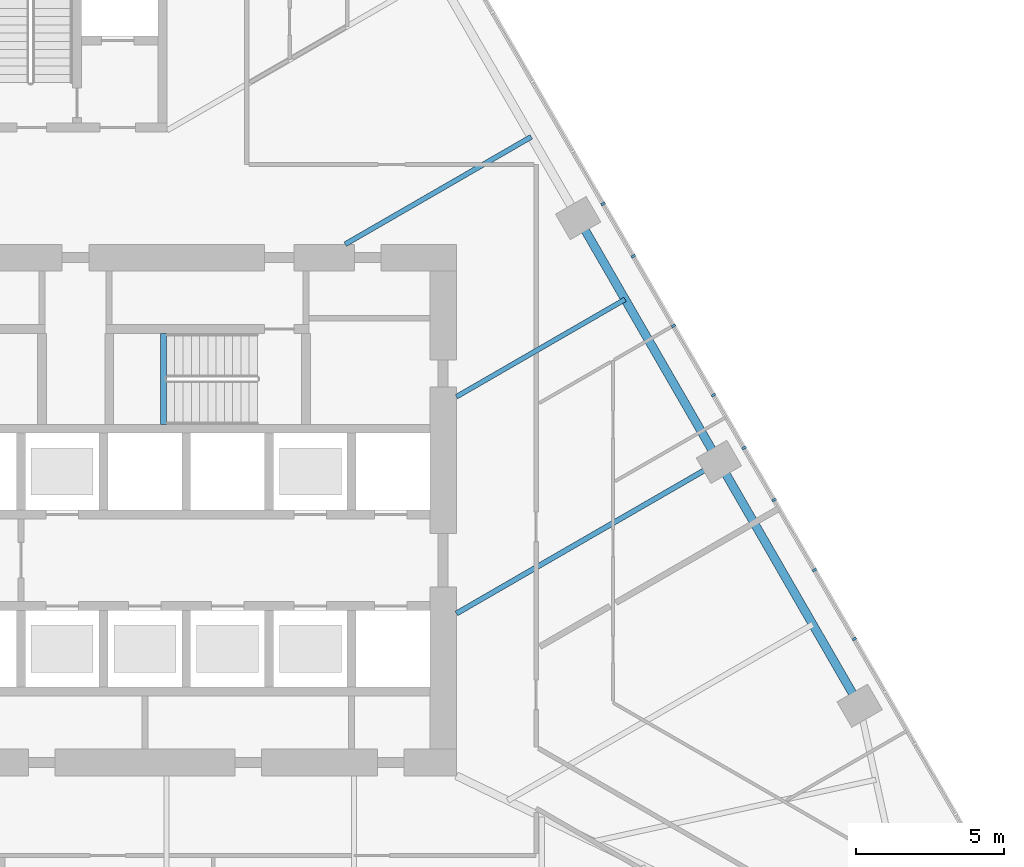
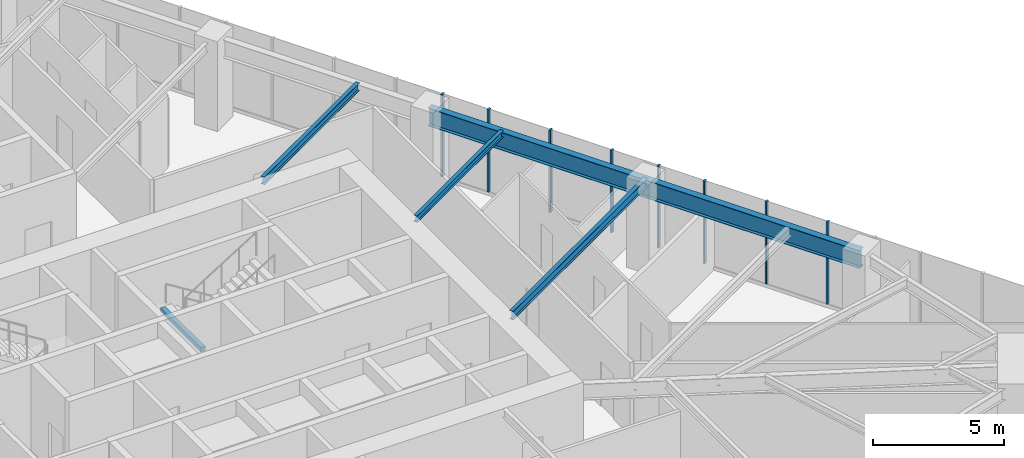
# One storey, part 8 of 26: 8 members, 5 beams, 1 element without a shape of its own.
"""IFC4 building model written with IfcOpenShell, lengths in metres."""

from ifc_helpers import new_model, si_unit, direction, frame, origin, origin_2d, place, context, subcontext, project, spatial, rectangle, i_section, extrude, material, layer, layer_set, material_profile, profile_set, type_object, element, aggregate, save


model = new_model("IFC4")

# Units and contexts
model_context = context("Model", 3, precision=1e-05, world=origin(), true_north=direction((0.0, 1.0)))
body_context = subcontext(model_context, "Body", "Model", "MODEL_VIEW")
ifc_project = project(units=[si_unit("LENGTHUNIT", "METRE"), si_unit("AREAUNIT", "SQUARE_METRE"), si_unit("VOLUMEUNIT", "CUBIC_METRE"), si_unit("PLANEANGLEUNIT", "RADIAN"), si_unit("MASSUNIT", "GRAM", prefix="KILO")], contexts=[model_context])

# Site, building, storey
site_placement = place(None, origin())
site = spatial("IfcSite", under=ifc_project, at=site_placement, CompositionType="ELEMENT")
building_placement = place(site_placement, origin())
building = spatial("IfcBuilding", under=site, at=building_placement, Name="Firuza Gate Tower and Library", CompositionType="ELEMENT")
storey_placement = place(building_placement, frame((0.0, 0.0, 65.199951171875)))
storey = spatial("IfcBuildingStorey", under=building, at=storey_placement, Name="L14", CompositionType="ELEMENT", Elevation=65.199951171875)

# Curtain wall, members
ifc_material_1 = material(Name="Aluminium 6063-T6", Category="aluminium")
ifc_layer = layer(ifc_material_1, 0.14990234375)
ifc_layer_set = layer_set([ifc_layer], Name="Unitised curtain wall, offices")
curtain_wall_type = type_object("IfcCurtainWallType", Name="Unitised curtain wall, offices", PredefinedType="NOTDEFINED", material=ifc_layer_set)
curtain_wall_placement = place(storey_placement, origin())
curtain_wall = element("IfcCurtainWall", 1, at=curtain_wall_placement, inside=storey, type_object=curtain_wall_type, Name="CW1 L14 E face", PredefinedType="NOTDEFINED")
ifc_material_2 = material(Name="Aluminium 6063-T6", Category="aluminium")
ifc_material_profile_1 = material_profile(ifc_material_2, rectangle(XDim=0.14990234375, YDim=0.080078125, at=origin_2d()))
ifc_profile_set_1 = profile_set([ifc_material_profile_1], Name="Aluminium 6063-T6")
member_type = type_object("IfcMemberType", Name="Curtain wall mullion 80x150", PredefinedType="MULLION", material=ifc_profile_set_1)
member_1_placement = place(storey_placement, frame((100.12841796875, 72.96875, 0.150146484375), z_axis=(0.0, 0.0, 1.0), x_axis=(-0.866025403784, -0.5, 0.0)))
member_1 = element("IfcMember", 2, at=member_1_placement, type_object=member_type, Name="Mullion", PredefinedType="MULLION", context=body_context, shape_type="SweptSolid", body=[
    extrude(rectangle(XDim=0.14990234375, YDim=0.080078125, at=origin_2d()), origin(), (0.0, 0.0, 1.0), 3.849853515625),
])
member_2_placement = place(storey_placement, frame((97.740966796875, 77.103515625, 0.150146484375), z_axis=(0.0, 0.0, 1.0), x_axis=(-0.866025403784, -0.5, 0.0)))
member_2 = element("IfcMember", 3, at=member_2_placement, type_object=member_type, Name="Mullion", PredefinedType="MULLION", context=body_context, shape_type="SweptSolid", body=[
    extrude(rectangle(XDim=0.14990234375, YDim=0.080078125, at=origin_2d()), origin(), (0.0, 0.0, 1.0), 3.849853515625),
])
member_3_placement = place(storey_placement, frame((95.353759765625, 81.23828125, 0.150146484375), z_axis=(0.0, 0.0, 1.0), x_axis=(-0.866025403784, -0.5, 0.0)))
member_3 = element("IfcMember", 4, at=member_3_placement, type_object=member_type, Name="Mullion", PredefinedType="MULLION", context=body_context, shape_type="SweptSolid", body=[
    extrude(rectangle(XDim=0.14990234375, YDim=0.080078125, at=origin_2d()), origin(), (0.0, 0.0, 1.0), 3.849853515625),
])
member_4_placement = place(storey_placement, frame((92.966552734375, 85.373046875, 0.150146484375), z_axis=(0.0, 0.0, 1.0), x_axis=(-0.866025403784, -0.5, 0.0)))
member_4 = element("IfcMember", 5, at=member_4_placement, type_object=member_type, Name="Mullion", PredefinedType="MULLION", context=body_context, shape_type="SweptSolid", body=[
    extrude(rectangle(XDim=0.14990234375, YDim=0.080078125, at=origin_2d()), origin(), (0.0, 0.0, 1.0), 3.849853515625),
])
member_5_placement = place(storey_placement, frame((101.476318359375, 70.634033203125, 0.150146484375), z_axis=(0.0, 0.0, 1.0), x_axis=(-0.866025403784, -0.5, 0.0)))
member_5 = element("IfcMember", 6, at=member_5_placement, type_object=member_type, Name="Mullion", PredefinedType="MULLION", context=body_context, shape_type="SweptSolid", body=[
    extrude(rectangle(XDim=0.14990234375, YDim=0.080078125, at=origin_2d()), origin(), (0.0, 0.0, 1.0), 3.849853515625),
])
member_6_placement = place(storey_placement, frame((98.7587890625, 75.3408203125, 0.150146484375), z_axis=(0.0, 0.0, 1.0), x_axis=(-0.866025403784, -0.5, 0.0)))
member_6 = element("IfcMember", 7, at=member_6_placement, type_object=member_type, Name="Mullion", PredefinedType="MULLION", context=body_context, shape_type="SweptSolid", body=[
    extrude(rectangle(XDim=0.14990234375, YDim=0.080078125, at=origin_2d()), origin(), (0.0, 0.0, 1.0), 3.849853515625),
])
member_7_placement = place(storey_placement, frame((96.708984375, 78.89111328125, 0.150146484375), z_axis=(0.0, 0.0, 1.0), x_axis=(-0.866025403784, -0.5, 0.0)))
member_7 = element("IfcMember", 8, at=member_7_placement, type_object=member_type, Name="Mullion", PredefinedType="MULLION", context=body_context, shape_type="SweptSolid", body=[
    extrude(rectangle(XDim=0.14990234375, YDim=0.080078125, at=origin_2d()), origin(), (0.0, 0.0, 1.0), 3.849853515625),
])
member_8_placement = place(storey_placement, frame((93.991455078125, 83.597900390625, 0.150146484375), z_axis=(0.0, 0.0, 1.0), x_axis=(-0.866025403784, -0.5, 0.0)))
member_8 = element("IfcMember", 9, at=member_8_placement, type_object=member_type, Name="Mullion", PredefinedType="MULLION", context=body_context, shape_type="SweptSolid", body=[
    extrude(rectangle(XDim=0.14990234375, YDim=0.080078125, at=origin_2d()), origin(), (0.0, 0.0, 1.0), 3.849853515625),
])
aggregate(curtain_wall, [member_1, member_2, member_3, member_4, member_5, member_6, member_7, member_8])

# Beams
ifc_material_3 = material(Name="Concrete C35/45", Category="concrete")
ifc_material_profile_2 = material_profile(ifc_material_3, rectangle(XDim=0.199951171875, YDim=0.199951171875, at=origin_2d()))
ifc_profile_set_2 = profile_set([ifc_material_profile_2], Name="Concrete C35/45")
beam_type_1 = type_object("IfcBeamType", Name="Stair landing bearer 200x200", PredefinedType="BEAM", material=ifc_profile_set_2)
beam_1_placement = place(storey_placement, frame((78.080078125, 80.97998046875, 1.800048828125), z_axis=(0.0, -1.0, 0.0), x_axis=(1.0, 0.0, 0.0)))
element("IfcBeam", 10, at=beam_1_placement, inside=storey, type_object=beam_type_1, Name="Landing bearer L14 stair 2", PredefinedType="BEAM", context=body_context, shape_type="SweptSolid", body=[
    extrude(rectangle(XDim=0.199951171875, YDim=0.199951171875, at=origin_2d()), origin(), (0.0, 0.0, 1.0), 3.080078125),
])
ifc_material_4 = material(Name="Steel S355", Category="steel")
ifc_material_profile_3 = material_profile(ifc_material_4, i_section(OverallWidth=0.1650390625, OverallDepth=0.31005859375, WebThickness=0.005859375, FlangeThickness=0.009765625, at=origin_2d()))
ifc_profile_set_3 = profile_set([ifc_material_profile_3], Name="Steel S355")
beam_type_2 = type_object("IfcBeamType", Name="W310x39 Floor beam", PredefinedType="JOIST", material=ifc_profile_set_3)
beam_2_placement = place(storey_placement, frame((93.71142578125, 82.13330078125, 3.844970703125), z_axis=(-0.866017904993, -0.500012988063, 0.0), x_axis=(0.500012988063, -0.866017904993, 0.0)))
element("IfcBeam", 11, at=beam_2_placement, inside=storey, type_object=beam_type_2, Name="Floor beam L14 s52", PredefinedType="JOIST", context=body_context, shape_type="SweptSolid", body=[
    extrude(i_section(OverallWidth=0.1650390625, OverallDepth=0.31005859375, WebThickness=0.005859375, FlangeThickness=0.009765625, at=origin_2d()), origin(), (0.0, 0.0, 1.0), 6.594970703125),
])
ifc_material_5 = material(Name="Steel S355", Category="steel")
ifc_material_profile_4 = material_profile(ifc_material_5, i_section(OverallWidth=0.1708984375, OverallDepth=0.35498046875, WebThickness=0.007080078125, FlangeThickness=0.01171875, at=origin_2d()))
ifc_profile_set_4 = profile_set([ifc_material_profile_4], Name="Steel S355")
beam_type_3 = type_object("IfcBeamType", Name="W360x51 Floor beam", PredefinedType="JOIST", material=ifc_profile_set_4)
beam_3_placement = place(storey_placement, frame((90.533203125, 87.637939453125, 3.822509765625), z_axis=(-0.866022978719, -0.500004200313, 0.0), x_axis=(0.500004200313, -0.866022978719, 0.0)))
element("IfcBeam", 12, at=beam_3_placement, inside=storey, type_object=beam_type_3, Name="Floor beam L14 s53", PredefinedType="JOIST", context=body_context, shape_type="SweptSolid", body=[
    extrude(i_section(OverallWidth=0.1708984375, OverallDepth=0.35498046875, WebThickness=0.007080078125, FlangeThickness=0.01171875, at=origin_2d()), origin(), (0.0, 0.0, 1.0), 7.27587890625),
])
ifc_material_6 = material(Name="Steel S355", Category="steel")
ifc_material_profile_5 = material_profile(ifc_material_6, i_section(OverallWidth=0.177978515625, OverallDepth=0.406982421875, WebThickness=0.0078125, FlangeThickness=0.0126953125, at=origin_2d()))
ifc_profile_set_5 = profile_set([ifc_material_profile_5], Name="Steel S355")
beam_type_4 = type_object("IfcBeamType", Name="W410x60 Floor beam", PredefinedType="JOIST", material=ifc_profile_set_5)
beam_4_placement = place(storey_placement, frame((96.889404296875, 76.62841796875, 3.796630859375), z_axis=(-0.866024380585, -0.50000177223, 0.0), x_axis=(0.50000177223, -0.866024380585, 0.0)))
element("IfcBeam", 13, at=beam_4_placement, inside=storey, type_object=beam_type_4, Name="Floor beam L14 s51", PredefinedType="JOIST", context=body_context, shape_type="SweptSolid", body=[
    extrude(i_section(OverallWidth=0.177978515625, OverallDepth=0.406982421875, WebThickness=0.0078125, FlangeThickness=0.0126953125, at=origin_2d()), origin(), (0.0, 0.0, 1.0), 10.2646484375),
])
ifc_material_7 = material(Name="Steel S355", Category="steel")
ifc_material_profile_6 = material_profile(ifc_material_7, i_section(OverallWidth=0.2919921875, OverallDepth=0.8349609375, WebThickness=0.013916015625, FlangeThickness=0.018798828125, at=origin_2d()))
ifc_profile_set_6 = profile_set([ifc_material_profile_6], Name="Steel S355")
beam_type_5 = type_object("IfcBeamType", Name="W840x176 Edge beam", PredefinedType="SPANDREL", material=ifc_profile_set_6)
beam_5_placement = place(storey_placement, frame((101.65673828125, 68.371337890625, 3.58251953125), z_axis=(-0.499998781384, 0.866026107351, 0.0), x_axis=(-0.866026107351, -0.499998781384, 0.0)))
element("IfcBeam", 14, at=beam_5_placement, inside=storey, type_object=beam_type_5, Name="Edge beam L14 e50", PredefinedType="SPANDREL", context=body_context, shape_type="SweptSolid", body=[
    extrude(i_section(OverallWidth=0.2919921875, OverallDepth=0.8349609375, WebThickness=0.013916015625, FlangeThickness=0.018798828125, at=origin_2d()), origin(), (0.0, 0.0, 1.0), 19.06884765625),
])

save(model, "model.ifc")
